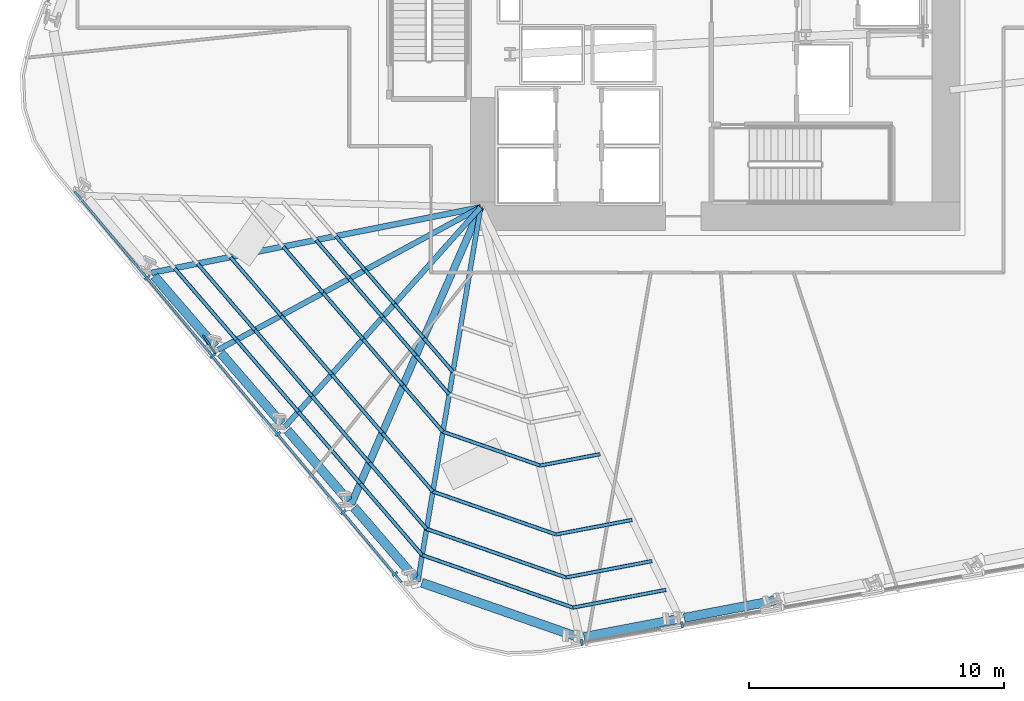
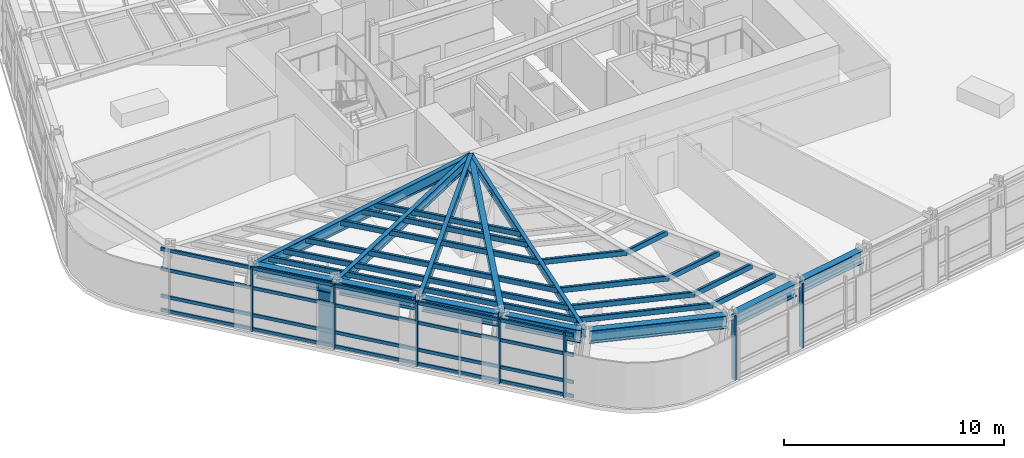
# One storey, part 2 of 16: 44 members, 12 beams, 2 elements without a shape of their own.
"""IFC4 building model written with IfcOpenShell, lengths in metres."""

from ifc_helpers import new_model, si_unit, direction, frame, origin, origin_2d, place, context, subcontext, project, spatial, rectangle, hollow_rectangle, i_section, extrude, material, layer, layer_set, material_profile, profile_set, type_object, element, aggregate, save


model = new_model("IFC4")

# Units and contexts
model_context = context("Model", 3, precision=1e-05, world=origin(), true_north=direction((0.0, 1.0)))
body_context = subcontext(model_context, "Body", "Model", "MODEL_VIEW")
ifc_project = project(units=[si_unit("LENGTHUNIT", "METRE"), si_unit("AREAUNIT", "SQUARE_METRE"), si_unit("VOLUMEUNIT", "CUBIC_METRE"), si_unit("PLANEANGLEUNIT", "RADIAN"), si_unit("MASSUNIT", "GRAM", prefix="KILO")], contexts=[model_context])

# Site, building, storey
site_placement = place(None, origin())
site = spatial("IfcSite", under=ifc_project, at=site_placement, CompositionType="ELEMENT")
building_placement = place(site_placement, origin())
building = spatial("IfcBuilding", under=site, at=building_placement, Name="Valkerne Bourse Tower", CompositionType="ELEMENT")
storey_placement = place(building_placement, frame((0.0, 0.0, 65.800048828125)))
storey = spatial("IfcBuildingStorey", under=building, at=storey_placement, Name="L16", CompositionType="ELEMENT", Elevation=65.800048828125)

# Beams
ifc_material_1 = material(Name="Steel ASTM A992", Category="steel")
ifc_material_profile_1 = material_profile(ifc_material_1, i_section(OverallWidth=0.1904296875, OverallDepth=0.457275390625, WebThickness=0.009033203125, FlangeThickness=0.014404296875, FilletRadius=0.01513671875, at=origin_2d()), Name="W18X50")
ifc_profile_set_1 = profile_set([ifc_material_profile_1], Name="Steel ASTM A992")
beam_type_1 = type_object("IfcBeamType", Name="BM-W18X50", PredefinedType="JOIST", material=ifc_profile_set_1)
beam_1_placement = place(storey_placement, frame((35.135498046875, 3.734619140625, 3.351318359375), z_axis=(0.165732631611, 0.986170722958, 0.0), x_axis=(-0.986170722958, 0.165732631611, 0.0)))
element("IfcBeam", 1, at=beam_1_placement, inside=storey, type_object=beam_type_1, Name="L16 Radial Composite Floor Beam 23", PredefinedType="JOIST", context=body_context, shape_type="SweptSolid", body=[
    extrude(i_section(OverallWidth=0.1904296875, OverallDepth=0.457275390625, WebThickness=0.009033203125, FlangeThickness=0.014404296875, FilletRadius=0.01513671875, at=origin_2d()), origin(), (0.0, 0.0, 1.0), 14.870849609375),
])
ifc_material_profile_2 = material_profile(ifc_material_1, i_section(OverallWidth=0.279296875, OverallDepth=0.46240234375, WebThickness=0.0107421875, FlangeThickness=0.017333984375, FilletRadius=0.017822265625, at=origin_2d()), Name="W18X76")
ifc_profile_set_2 = profile_set([ifc_material_profile_2], Name="Steel ASTM A992")
beam_type_2 = type_object("IfcBeamType", Name="BM-W18X76", PredefinedType="BEAM", material=ifc_profile_set_2)
beam_2_placement = place(storey_placement, frame((32.5244140625, 6.759521484375, 3.3486328125), z_axis=(0.399696022063, 0.916647745836, 0.0), x_axis=(-0.916647745836, 0.399696022063, 0.0)))
element("IfcBeam", 2, at=beam_2_placement, inside=storey, type_object=beam_type_2, Name="L16 Radial Composite Floor Beam 22", PredefinedType="BEAM", context=body_context, shape_type="SweptSolid", body=[
    extrude(i_section(OverallWidth=0.279296875, OverallDepth=0.46240234375, WebThickness=0.0107421875, FlangeThickness=0.017333984375, FilletRadius=0.017822265625, at=origin_2d()), origin(), (0.0, 0.0, 1.0), 12.698974609375),
])
ifc_material_profile_3 = material_profile(ifc_material_1, i_section(OverallWidth=0.209228515625, OverallDepth=0.533447265625, WebThickness=0.01025390625, FlangeThickness=0.015625, FilletRadius=0.017822265625, at=origin_2d()), Name="W21X62")
ifc_profile_set_3 = profile_set([ifc_material_profile_3], Name="Steel ASTM A992")
beam_type_3 = type_object("IfcBeamType", Name="BM-W21X62", PredefinedType="JOIST", material=ifc_profile_set_3)
beam_3_placement = place(storey_placement, frame((29.913330078125, 9.784423828125, 3.313232421875), z_axis=(0.665744699462, 0.746179599787, 0.0), x_axis=(-0.746179599787, 0.665744699462, 0.0)))
element("IfcBeam", 3, at=beam_3_placement, inside=storey, type_object=beam_type_3, Name="L16 Radial Composite Floor Beam 21", PredefinedType="JOIST", context=body_context, shape_type="SweptSolid", body=[
    extrude(i_section(OverallWidth=0.209228515625, OverallDepth=0.533447265625, WebThickness=0.01025390625, FlangeThickness=0.015625, FilletRadius=0.017822265625, at=origin_2d()), origin(), (0.0, 0.0, 1.0), 11.546142578125),
])
ifc_material_profile_4 = material_profile(ifc_material_1, i_section(OverallWidth=0.2138671875, OverallDepth=0.548583984375, WebThickness=0.0146484375, FlangeThickness=0.023681640625, FilletRadius=0.017822265625, at=origin_2d()), Name="W21X93")
ifc_profile_set_4 = profile_set([ifc_material_profile_4], Name="Steel ASTM A992")
beam_type_4 = type_object("IfcBeamType", Name="BM-W21X93", PredefinedType="BEAM", material=ifc_profile_set_4)
beam_4_placement = place(storey_placement, frame((27.30224609375, 12.809326171875, 3.3056640625), z_axis=(0.878842199159, 0.477112553783, 0.0), x_axis=(-0.477112553783, 0.878842199159, 0.0)))
element("IfcBeam", 4, at=beam_4_placement, inside=storey, type_object=beam_type_4, Name="L16 Radial Composite Floor Beam 20", PredefinedType="BEAM", context=body_context, shape_type="SweptSolid", body=[
    extrude(i_section(OverallWidth=0.2138671875, OverallDepth=0.548583984375, WebThickness=0.0146484375, FlangeThickness=0.023681640625, FilletRadius=0.017822265625, at=origin_2d()), origin(), (0.0, 0.0, 1.0), 11.717529296875),
])
ifc_material_profile_5 = material_profile(ifc_material_1, i_section(OverallWidth=0.228271484375, OverallDepth=0.607177734375, WebThickness=0.01123046875, FlangeThickness=0.017333984375, FilletRadius=0.017822265625, at=origin_2d()), Name="W24X76")
ifc_profile_set_5 = profile_set([ifc_material_profile_5], Name="Steel ASTM A992")
beam_type_5 = type_object("IfcBeamType", Name="BM-W24X76", PredefinedType="JOIST", material=ifc_profile_set_5)
beam_5_placement = place(storey_placement, frame((24.691162109375, 15.834228515625, 3.2763671875), z_axis=(0.980815407582, 0.194938801291, 0.0), x_axis=(-0.194938801291, 0.980815407582, 0.0)))
element("IfcBeam", 5, at=beam_5_placement, inside=storey, type_object=beam_type_5, Name="L16 Radial Composite Floor Beam 19", PredefinedType="JOIST", context=body_context, shape_type="SweptSolid", body=[
    extrude(i_section(OverallWidth=0.228271484375, OverallDepth=0.607177734375, WebThickness=0.01123046875, FlangeThickness=0.017333984375, FilletRadius=0.017822265625, at=origin_2d()), origin(), (0.0, 0.0, 1.0), 13.161376953125),
])
ifc_material_profile_6 = material_profile(ifc_material_1, i_section(OverallWidth=0.358154296875, OverallDepth=0.7060546875, WebThickness=0.018310546875, FlangeThickness=0.0302734375, FilletRadius=0.02294921875, at=origin_2d()), Name="W27X178")
ifc_profile_set_6 = profile_set([ifc_material_profile_6], Name="Steel ASTM A992")
beam_type_6 = type_object("IfcBeamType", Name="BM-W27X178", PredefinedType="SPANDREL", material=ifc_profile_set_6)
for number, where, z_axis, x_axis, name in (
    (6, (24.80224609375, 15.70556640625, 3.226806640625), (0.653421647996, -0.756994154489, 0.0), (0.756994154489, 0.653421647996, 0.0), "L16 Hexagonal Spandrel Ring Beam 19"),
    (7, (27.413330078125, 12.6806640625, 3.226806640625), (0.653421647996, -0.756994154489, 0.0), (0.756994154489, 0.653421647996, 0.0), "L16 Hexagonal Spandrel Ring Beam 20"),
):
    element("IfcBeam", number, at=place(storey_placement, frame(where, z_axis=z_axis, x_axis=x_axis)), inside=storey, type_object=beam_type_6, Name=name, PredefinedType="SPANDREL", context=body_context, shape_type="SweptSolid", body=[
        extrude(i_section(OverallWidth=0.358154296875, OverallDepth=0.7060546875, WebThickness=0.018310546875, FlangeThickness=0.0302734375, FilletRadius=0.02294921875, at=origin_2d()), origin(), (0.0, 0.0, 1.0), 3.656005859375),
    ])
for number, where, z_axis, x_axis, name in (
    (8, (30.0244140625, 9.65576171875, 3.226806640625), (0.653383379079, -0.757027185736, 0.0), (0.757027185736, 0.653383379079, 0.0), "L16 Hexagonal Spandrel Ring Beam 21"),
    (9, (32.635498046875, 6.630615234375, 3.226806640625), (0.653454679816, -0.75696564085, 0.0), (0.75696564085, 0.653454679816, 0.0), "L16 Hexagonal Spandrel Ring Beam 22"),
):
    element("IfcBeam", number, at=place(storey_placement, frame(where, z_axis=z_axis, x_axis=x_axis)), inside=storey, type_object=beam_type_6, Name=name, PredefinedType="SPANDREL", context=body_context, shape_type="SweptSolid", body=[
        extrude(i_section(OverallWidth=0.358154296875, OverallDepth=0.7060546875, WebThickness=0.018310546875, FlangeThickness=0.0302734375, FilletRadius=0.02294921875, at=origin_2d()), origin(), (0.0, 0.0, 1.0), 3.65576171875),
    ])
beam_6_placement = place(storey_placement, frame((35.2958984375, 3.6787109375, 3.226806640625), z_axis=(0.944368363629, -0.328889637685, 0.0), x_axis=(0.328889637685, 0.944368363629, 0.0)))
element("IfcBeam", 10, at=beam_6_placement, inside=storey, type_object=beam_type_6, Name="L16 Hexagonal Spandrel Ring Beam 23", PredefinedType="SPANDREL", context=body_context, shape_type="SweptSolid", body=[
    extrude(i_section(OverallWidth=0.358154296875, OverallDepth=0.7060546875, WebThickness=0.018310546875, FlangeThickness=0.0302734375, FilletRadius=0.02294921875, at=origin_2d()), origin(), (0.0, 0.0, 1.0), 6.38916015625),
])
beam_7_placement = place(storey_placement, frame((41.656982421875, 1.553466796875, 3.226806640625), z_axis=(0.982300554461, 0.187311560521, 0.0), x_axis=(-0.187311560521, 0.982300554461, 0.0)))
element("IfcBeam", 11, at=beam_7_placement, inside=storey, type_object=beam_type_6, Name="L16 Hexagonal Spandrel Ring Beam 24", PredefinedType="SPANDREL", context=body_context, shape_type="SweptSolid", body=[
    extrude(i_section(OverallWidth=0.358154296875, OverallDepth=0.7060546875, WebThickness=0.018310546875, FlangeThickness=0.0302734375, FilletRadius=0.02294921875, at=origin_2d()), origin(), (0.0, 0.0, 1.0), 3.656005859375),
])
beam_8_placement = place(storey_placement, frame((45.58251953125, 2.30224609375, 3.226806640625), z_axis=(0.982285920896, 0.187388285678, 0.0), x_axis=(-0.187388285678, 0.982285920896, 0.0)))
element("IfcBeam", 12, at=beam_8_placement, inside=storey, type_object=beam_type_6, Name="L16 Hexagonal Spandrel Ring Beam 25", PredefinedType="SPANDREL", context=body_context, shape_type="SweptSolid", body=[
    extrude(i_section(OverallWidth=0.358154296875, OverallDepth=0.7060546875, WebThickness=0.018310546875, FlangeThickness=0.0302734375, FilletRadius=0.02294921875, at=origin_2d()), origin(), (0.0, 0.0, 1.0), 3.65576171875),
])

# Curtain wall, members
ifc_material_2 = material(Name="Aluminium AA 6063-T6", Category="aluminium")
ifc_layer = layer(ifc_material_2, 0.22509765625)
ifc_layer_set = layer_set([ifc_layer], Name="Aluminium AA 6063-T6")
curtain_wall_type = type_object("IfcCurtainWallType", Name="CW-01", PredefinedType="NOTDEFINED", material=ifc_layer_set)
curtain_wall_1_placement = place(storey_placement, origin())
curtain_wall_1 = element("IfcCurtainWall", 13, at=curtain_wall_1_placement, inside=storey, type_object=curtain_wall_type, Name="L16 Hexagonal Stick Curtain Wall Face 4", PredefinedType="NOTDEFINED")
ifc_material_profile_7 = material_profile(ifc_material_2, rectangle(XDim=0.090087890625, YDim=0.239990234375, at=origin_2d()), Name="CWM-90X240")
ifc_profile_set_7 = profile_set([ifc_material_profile_7], Name="Aluminium AA 6063-T6")
member_type_1 = type_object("IfcMemberType", Name="CW-MUL-240X90", PredefinedType="MULLION", material=ifc_profile_set_7)
member_1_placement = place(storey_placement, frame((24.527099609375, 15.642578125, 0.0), z_axis=(0.0, 0.0, 1.0), x_axis=(0.641443819545, -0.767170011384, 0.0)))
member_1 = element("IfcMember", 14, at=member_1_placement, type_object=member_type_1, Name="CW-L16-F4 Jamb Mullion 01A", PredefinedType="MULLION", context=body_context, shape_type="SweptSolid", body=[
    extrude(rectangle(XDim=0.090087890625, YDim=0.239990234375, at=origin_2d()), origin(), (0.0, 0.0, 1.0), 3.579833984375),
])
member_2_placement = place(storey_placement, frame((27.09033203125, 12.576904296875, 0.0), z_axis=(0.0, 0.0, 1.0), x_axis=(0.641456134466, -0.767159714503, 0.0)))
member_2 = element("IfcMember", 15, at=member_2_placement, type_object=member_type_1, Name="CW-L16-F4 Jamb Mullion 02A", PredefinedType="MULLION", context=body_context, shape_type="SweptSolid", body=[
    extrude(rectangle(XDim=0.090087890625, YDim=0.239990234375, at=origin_2d()), origin(), (0.0, 0.0, 1.0), 3.579833984375),
])
member_3_placement = place(storey_placement, frame((29.653564453125, 9.511474609375, 0.0), z_axis=(0.0, 0.0, 1.0), x_axis=(0.641458547713, -0.767157696674, 0.0)))
member_3 = element("IfcMember", 16, at=member_3_placement, type_object=member_type_1, Name="CW-L16-F4 Jamb Mullion 03A", PredefinedType="MULLION", context=body_context, shape_type="SweptSolid", body=[
    extrude(rectangle(XDim=0.090087890625, YDim=0.239990234375, at=origin_2d()), origin(), (0.0, 0.0, 1.0), 3.579833984375),
])
member_4_placement = place(storey_placement, frame((32.216796875, 6.44580078125, 0.0), z_axis=(0.0, 0.0, 1.0), x_axis=(0.641443819545, -0.767170011384, 0.0)))
member_4 = element("IfcMember", 17, at=member_4_placement, type_object=member_type_1, Name="CW-L16-F4 Jamb Mullion 04A", PredefinedType="MULLION", context=body_context, shape_type="SweptSolid", body=[
    extrude(rectangle(XDim=0.090087890625, YDim=0.239990234375, at=origin_2d()), origin(), (0.0, 0.0, 1.0), 3.579833984375),
])
member_5_placement = place(storey_placement, frame((34.2412109375, 4.024658203125, 0.0), z_axis=(0.0, 0.0, 1.0), x_axis=(0.641443819545, -0.767170011384, 0.0)))
member_5 = element("IfcMember", 18, at=member_5_placement, type_object=member_type_1, Name="CW-L16-F4 Jamb Mullion 04B", PredefinedType="MULLION", context=body_context, shape_type="SweptSolid", body=[
    extrude(rectangle(XDim=0.090087890625, YDim=0.239990234375, at=origin_2d()), origin(), (0.0, 0.0, 1.0), 3.579833984375),
])

curtain_wall_2_placement = place(storey_placement, origin())
curtain_wall_2 = element("IfcCurtainWall", 19, at=curtain_wall_2_placement, inside=storey, type_object=curtain_wall_type, Name="L16 Hexagonal Stick Curtain Wall Face 5", PredefinedType="NOTDEFINED")
member_6_placement = place(storey_placement, frame((41.562744140625, 1.345458984375, 0.0), z_axis=(0.0, 0.0, 1.0), x_axis=(0.985110565094, 0.171922001326, 0.0)))
member_6 = element("IfcMember", 20, at=member_6_placement, type_object=member_type_1, Name="CW-L16-F5 Jamb Mullion 00A", PredefinedType="MULLION", context=body_context, shape_type="SweptSolid", body=[
    extrude(rectangle(XDim=0.090087890625, YDim=0.239990234375, at=origin_2d()), origin(), (0.0, 0.0, 1.0), 3.579833984375),
])
member_7_placement = place(storey_placement, frame((45.499267578125, 2.032470703125, 0.0), z_axis=(0.0, 0.0, 1.0), x_axis=(0.985110565094, 0.171922001326, 0.0)))
member_7 = element("IfcMember", 21, at=member_7_placement, type_object=member_type_1, Name="CW-L16-F5 Jamb Mullion 01A", PredefinedType="MULLION", context=body_context, shape_type="SweptSolid", body=[
    extrude(rectangle(XDim=0.090087890625, YDim=0.239990234375, at=origin_2d()), origin(), (0.0, 0.0, 1.0), 3.579833984375),
])
aggregate(curtain_wall_2, [member_6, member_7])

# Member
ifc_material_profile_8 = material_profile(ifc_material_2, rectangle(XDim=0.090087890625, YDim=0.179931640625, at=origin_2d()), Name="CWT-90X180")
ifc_profile_set_8 = profile_set([ifc_material_profile_8], Name="Aluminium AA 6063-T6")
member_type_2 = type_object("IfcMemberType", Name="CW-TRN-180X90", PredefinedType="USERDEFINED", material=ifc_profile_set_8)
member_8_placement = place(storey_placement, frame((21.678955078125, 19.017578125, 0.119873046875), z_axis=(0.641451529149, -0.767163565188, 0.0), x_axis=(0.767163565188, 0.641451529149, 0.0)))
member_8 = element("IfcMember", 22, at=member_8_placement, type_object=member_type_2, Name="CW-L16-F4 Continuous Face Transom 1", ObjectType="TRANSOM", PredefinedType="USERDEFINED", context=body_context, shape_type="SweptSolid", body=[
    extrude(rectangle(XDim=0.090087890625, YDim=0.179931640625, at=origin_2d()), origin(), (0.0, 0.0, 1.0), 19.97998046875),
])

member_9_placement = place(storey_placement, frame((21.678955078125, 19.017578125, 0.89990234375), z_axis=(0.641451529149, -0.767163565188, 0.0), x_axis=(0.767163565188, 0.641451529149, 0.0)))
member_9 = element("IfcMember", 23, at=member_9_placement, type_object=member_type_2, Name="CW-L16-F4 Continuous Face Transom 2", ObjectType="TRANSOM", PredefinedType="USERDEFINED", context=body_context, shape_type="SweptSolid", body=[
    extrude(rectangle(XDim=0.090087890625, YDim=0.179931640625, at=origin_2d()), origin(), (0.0, 0.0, 1.0), 19.97998046875),
])

member_10_placement = place(storey_placement, frame((21.678955078125, 19.017578125, 2.39990234375), z_axis=(0.641451529149, -0.767163565188, 0.0), x_axis=(0.767163565188, 0.641451529149, 0.0)))
member_10 = element("IfcMember", 24, at=member_10_placement, type_object=member_type_2, Name="CW-L16-F4 Continuous Face Transom 3", ObjectType="TRANSOM", PredefinedType="USERDEFINED", context=body_context, shape_type="SweptSolid", body=[
    extrude(rectangle(XDim=0.090087890625, YDim=0.179931640625, at=origin_2d()), origin(), (0.0, 0.0, 1.0), 19.97998046875),
])

member_11_placement = place(storey_placement, frame((21.678955078125, 19.017578125, 3.5), z_axis=(0.641451529149, -0.767163565188, 0.0), x_axis=(0.767163565188, 0.641451529149, 0.0)))
member_11 = element("IfcMember", 25, at=member_11_placement, type_object=member_type_2, Name="CW-L16-F4 Continuous Face Transom 4", ObjectType="TRANSOM", PredefinedType="USERDEFINED", context=body_context, shape_type="SweptSolid", body=[
    extrude(rectangle(XDim=0.090087890625, YDim=0.179931640625, at=origin_2d()), origin(), (0.0, 0.0, 1.0), 19.97998046875),
])

aggregate(curtain_wall_1, [member_8, member_9, member_10, member_11, member_1, member_2, member_3, member_4, member_5])

# Members
ifc_material_3 = material(Name="Bronze Anodised Aluminium AA 6063-T6", Category="aluminium")
ifc_material_profile_9 = material_profile(ifc_material_3, rectangle(XDim=0.070068359375, YDim=0.89990234375, at=origin_2d()), Name="FIN-70X900")
ifc_profile_set_9 = profile_set([ifc_material_profile_9], Name="Bronze Anodised Aluminium AA 6063-T6")
member_type_3 = type_object("IfcMemberType", Name="FIN-SOLAR-900", PredefinedType="USERDEFINED", material=ifc_profile_set_9)
member_12_placement = place(storey_placement, frame((26.958984375, 13.0146484375, 0.00390625), z_axis=(0.0, 0.0, 1.0), x_axis=(-0.831552567859, -0.555446061186, 0.0)))
element("IfcMember", 26, at=member_12_placement, inside=storey, type_object=member_type_3, Name="L16 Bronze Anodised Solar Fin F4-02", ObjectType="SOLAR_FIN", PredefinedType="USERDEFINED", context=body_context, shape_type="SweptSolid", body=[
    extrude(rectangle(XDim=0.070068359375, YDim=0.89990234375, at=origin_2d()), origin(), (0.0, 0.0, 1.0), 3.572021484375),
])
ifc_material_4 = material(Name="Steel ASTM A500 Grade C", Category="steel")
ifc_material_profile_10 = material_profile(ifc_material_4, hollow_rectangle(XDim=0.14990234375, YDim=0.300048828125, WallThickness=0.012451171875, OuterFilletRadius=0.02490234375, at=origin_2d()), Name="HSS300X150X12.5")
ifc_profile_set_10 = profile_set([ifc_material_profile_10], Name="Steel ASTM A500 Grade C")
member_type_4 = type_object("IfcMemberType", Name="MBR-HSS300X150X12.5", PredefinedType="PURLIN", material=ifc_profile_set_10)
member_13_placement = place(storey_placement, frame((31.920166015625, 17.27099609375, 3.419921875), z_axis=(0.653486092171, -0.756938522827, 0.0), x_axis=(0.756938522827, 0.653486092171, 0.0)))
element("IfcMember", 27, at=member_13_placement, inside=storey, type_object=member_type_4, Name="L16 Secondary Composite Floor Purlin K-19", PredefinedType="PURLIN", context=body_context, shape_type="SweptSolid", body=[
    extrude(hollow_rectangle(XDim=0.14990234375, YDim=0.300048828125, WallThickness=0.012451171875, OuterFilletRadius=0.02490234375, at=origin_2d()), origin(), (0.0, 0.0, 1.0), 1.758056640625),
])
member_14_placement = place(storey_placement, frame((33.069091796875, 15.940185546875, 3.419921875), z_axis=(0.653417408619, -0.75699781381, 0.0), x_axis=(0.75699781381, 0.653417408619, 0.0)))
element("IfcMember", 28, at=member_14_placement, inside=storey, type_object=member_type_4, Name="L16 Secondary Composite Floor Purlin K-20", PredefinedType="PURLIN", context=body_context, shape_type="SweptSolid", body=[
    extrude(hollow_rectangle(XDim=0.14990234375, YDim=0.300048828125, WallThickness=0.012451171875, OuterFilletRadius=0.02490234375, at=origin_2d()), origin(), (0.0, 0.0, 1.0), 1.75830078125),
])
for number, where, z_axis, x_axis, name in (
    (29, (34.218017578125, 14.609130859375, 3.419921875), (0.653337831698, -0.757066494882, 0.0), (0.757066494882, 0.653337831698, 0.0), "L16 Secondary Composite Floor Purlin K-21"),
    (30, (35.36669921875, 13.278076171875, 3.419921875), (0.653486092171, -0.756938522827, 0.0), (0.756938522827, 0.653486092171, 0.0), "L16 Secondary Composite Floor Purlin K-22"),
):
    element("IfcMember", number, at=place(storey_placement, frame(where, z_axis=z_axis, x_axis=x_axis)), inside=storey, type_object=member_type_4, Name=name, PredefinedType="PURLIN", context=body_context, shape_type="SweptSolid", body=[
        extrude(hollow_rectangle(XDim=0.14990234375, YDim=0.300048828125, WallThickness=0.012451171875, OuterFilletRadius=0.02490234375, at=origin_2d()), origin(), (0.0, 0.0, 1.0), 1.758056640625),
    ])
member_15_placement = place(storey_placement, frame((31.1455078125, 17.1171875, 3.419921875), z_axis=(0.653403539443, -0.757009785038, 0.0), x_axis=(0.757009785038, 0.653403539443, 0.0)))
element("IfcMember", 31, at=member_15_placement, inside=storey, type_object=member_type_4, Name="L16 Secondary Composite Floor Purlin M-19", PredefinedType="PURLIN", context=body_context, shape_type="SweptSolid", body=[
    extrude(hollow_rectangle(XDim=0.14990234375, YDim=0.300048828125, WallThickness=0.012451171875, OuterFilletRadius=0.02490234375, at=origin_2d()), origin(), (0.0, 0.0, 1.0), 1.998291015625),
])
member_16_placement = place(storey_placement, frame((32.451171875, 15.6044921875, 3.419921875), z_axis=(0.653454401813, -0.756965880836, 0.0), x_axis=(0.756965880836, 0.653454401813, 0.0)))
element("IfcMember", 32, at=member_16_placement, inside=storey, type_object=member_type_4, Name="L16 Secondary Composite Floor Purlin M-20", PredefinedType="PURLIN", context=body_context, shape_type="SweptSolid", body=[
    extrude(hollow_rectangle(XDim=0.14990234375, YDim=0.300048828125, WallThickness=0.012451171875, OuterFilletRadius=0.02490234375, at=origin_2d()), origin(), (0.0, 0.0, 1.0), 1.997802734375),
])
member_17_placement = place(storey_placement, frame((33.756591796875, 14.09228515625, 3.419921875), z_axis=(0.653403539443, -0.757009785038, 0.0), x_axis=(0.757009785038, 0.653403539443, 0.0)))
element("IfcMember", 33, at=member_17_placement, inside=storey, type_object=member_type_4, Name="L16 Secondary Composite Floor Purlin M-21", PredefinedType="PURLIN", context=body_context, shape_type="SweptSolid", body=[
    extrude(hollow_rectangle(XDim=0.14990234375, YDim=0.300048828125, WallThickness=0.012451171875, OuterFilletRadius=0.02490234375, at=origin_2d()), origin(), (0.0, 0.0, 1.0), 1.998291015625),
])
member_18_placement = place(storey_placement, frame((35.062255859375, 12.57958984375, 3.419921875), z_axis=(0.653393955268, -0.757018057393, 0.0), x_axis=(0.757018057393, 0.653393955268, 0.0)))
element("IfcMember", 34, at=member_18_placement, inside=storey, type_object=member_type_4, Name="L16 Secondary Composite Floor Purlin M-22", PredefinedType="PURLIN", context=body_context, shape_type="SweptSolid", body=[
    extrude(hollow_rectangle(XDim=0.14990234375, YDim=0.300048828125, WallThickness=0.012451171875, OuterFilletRadius=0.02490234375, at=origin_2d()), origin(), (0.0, 0.0, 1.0), 1.997802734375),
])
for number, where, z_axis, x_axis, name in (
    (35, (27.789306640625, 16.4501953125, 3.419921875), (0.653395896171, -0.757016382166, 0.0), (0.757016382166, 0.653395896171, 0.0), "L16 Secondary Composite Floor Purlin O-19"),
    (36, (29.773681640625, 14.151123046875, 3.419921875), (0.653395896171, -0.757016382166, 0.0), (0.757016382166, 0.653395896171, 0.0), "L16 Secondary Composite Floor Purlin O-20"),
    (37, (31.758056640625, 11.85205078125, 3.419921875), (0.653395896171, -0.757016382166, 0.0), (0.757016382166, 0.653395896171, 0.0), "L16 Secondary Composite Floor Purlin O-21"),
):
    element("IfcMember", number, at=place(storey_placement, frame(where, z_axis=z_axis, x_axis=x_axis)), inside=storey, type_object=member_type_4, Name=name, PredefinedType="PURLIN", context=body_context, shape_type="SweptSolid", body=[
        extrude(hollow_rectangle(XDim=0.14990234375, YDim=0.300048828125, WallThickness=0.012451171875, OuterFilletRadius=0.02490234375, at=origin_2d()), origin(), (0.0, 0.0, 1.0), 3.037109375),
    ])
member_19_placement = place(storey_placement, frame((33.742431640625, 9.552978515625, 3.419921875), z_axis=(0.653435660254, -0.756982059172, 0.0), x_axis=(0.756982059172, 0.653435660254, 0.0)))
element("IfcMember", 38, at=member_19_placement, inside=storey, type_object=member_type_4, Name="L16 Secondary Composite Floor Purlin O-22", PredefinedType="PURLIN", context=body_context, shape_type="SweptSolid", body=[
    extrude(hollow_rectangle(XDim=0.14990234375, YDim=0.300048828125, WallThickness=0.012451171875, OuterFilletRadius=0.02490234375, at=origin_2d()), origin(), (0.0, 0.0, 1.0), 3.036865234375),
])
member_20_placement = place(storey_placement, frame((35.726806640625, 7.254150390625, 3.419921875), z_axis=(0.944373719946, -0.328874257239, 0.0), x_axis=(0.328874257239, 0.944373719946, 0.0)))
element("IfcMember", 39, at=member_20_placement, inside=storey, type_object=member_type_4, Name="L16 Secondary Composite Floor Purlin O-23", PredefinedType="PURLIN", context=body_context, shape_type="SweptSolid", body=[
    extrude(hollow_rectangle(XDim=0.14990234375, YDim=0.300048828125, WallThickness=0.012451171875, OuterFilletRadius=0.02490234375, at=origin_2d()), origin(), (0.0, 0.0, 1.0), 5.114013671875),
])
member_21_placement = place(storey_placement, frame((40.556396484375, 5.572265625, 3.419921875), z_axis=(0.982288577442, 0.187374359576, 0.0), x_axis=(-0.187374359576, 0.982288577442, 0.0)))
element("IfcMember", 40, at=member_21_placement, inside=storey, type_object=member_type_4, Name="L16 Secondary Composite Floor Purlin O-24", PredefinedType="PURLIN", context=body_context, shape_type="SweptSolid", body=[
    extrude(hollow_rectangle(XDim=0.14990234375, YDim=0.300048828125, WallThickness=0.012451171875, OuterFilletRadius=0.02490234375, at=origin_2d()), origin(), (0.0, 0.0, 1.0), 3.037109375),
])
for number, where, z_axis, x_axis, name in (
    (41, (29.854736328125, 16.860595703125, 3.419921875), (0.653428967629, -0.756987836272, 0.0), (0.756987836272, 0.653428967629, 0.0), "L16 Secondary Composite Floor Purlin Z-19"),
    (42, (31.42138671875, 15.045654296875, 3.419921875), (0.653428967629, -0.756987836272, 0.0), (0.756987836272, 0.653428967629, 0.0), "L16 Secondary Composite Floor Purlin Z-20"),
    (43, (32.988037109375, 13.230712890625, 3.419921875), (0.65337860219, -0.7570313086, 0.0), (0.7570313086, 0.65337860219, 0.0), "L16 Secondary Composite Floor Purlin Z-21"),
):
    element("IfcMember", number, at=place(storey_placement, frame(where, z_axis=z_axis, x_axis=x_axis)), inside=storey, type_object=member_type_4, Name=name, PredefinedType="PURLIN", context=body_context, shape_type="SweptSolid", body=[
        extrude(hollow_rectangle(XDim=0.14990234375, YDim=0.300048828125, WallThickness=0.012451171875, OuterFilletRadius=0.02490234375, at=origin_2d()), origin(), (0.0, 0.0, 1.0), 2.397705078125),
    ])
member_22_placement = place(storey_placement, frame((34.5546875, 11.41552734375, 3.419921875), z_axis=(0.653370611364, -0.757038205249, 0.0), x_axis=(0.757038205249, 0.653370611364, 0.0)))
element("IfcMember", 44, at=member_22_placement, inside=storey, type_object=member_type_4, Name="L16 Secondary Composite Floor Purlin Z-22", PredefinedType="PURLIN", context=body_context, shape_type="SweptSolid", body=[
    extrude(hollow_rectangle(XDim=0.14990234375, YDim=0.300048828125, WallThickness=0.012451171875, OuterFilletRadius=0.02490234375, at=origin_2d()), origin(), (0.0, 0.0, 1.0), 2.3974609375),
])
member_23_placement = place(storey_placement, frame((36.12109375, 9.6005859375, 3.419921875), z_axis=(0.944390698899, -0.328825497542, 0.0), x_axis=(0.328825497542, 0.944390698899, 0.0)))
element("IfcMember", 45, at=member_23_placement, inside=storey, type_object=member_type_4, Name="L16 Secondary Composite Floor Purlin Z-23", PredefinedType="PURLIN", context=body_context, shape_type="SweptSolid", body=[
    extrude(hollow_rectangle(XDim=0.14990234375, YDim=0.300048828125, WallThickness=0.012451171875, OuterFilletRadius=0.02490234375, at=origin_2d()), origin(), (0.0, 0.0, 1.0), 4.03759765625),
])
member_24_placement = place(storey_placement, frame((39.93408203125, 8.27294921875, 3.419921875), z_axis=(0.982292192074, 0.18735540929, 0.0), x_axis=(-0.18735540929, 0.982292192074, 0.0)))
element("IfcMember", 46, at=member_24_placement, inside=storey, type_object=member_type_4, Name="L16 Secondary Composite Floor Purlin Z-24", PredefinedType="PURLIN", context=body_context, shape_type="SweptSolid", body=[
    extrude(hollow_rectangle(XDim=0.14990234375, YDim=0.300048828125, WallThickness=0.012451171875, OuterFilletRadius=0.02490234375, at=origin_2d()), origin(), (0.0, 0.0, 1.0), 2.397705078125),
])
for number, where, z_axis, x_axis, name in (
    (47, (26.498291015625, 16.193603515625, 3.419921875), (0.65342009665, -0.756995493575, 0.0), (0.756995493575, 0.65342009665, 0.0), "L16 Secondary Composite Floor Purlin T-19"),
    (48, (28.743896484375, 13.592041015625, 3.419921875), (0.65342009665, -0.756995493575, 0.0), (0.756995493575, 0.65342009665, 0.0), "L16 Secondary Composite Floor Purlin T-20"),
):
    element("IfcMember", number, at=place(storey_placement, frame(where, z_axis=z_axis, x_axis=x_axis)), inside=storey, type_object=member_type_4, Name=name, PredefinedType="PURLIN", context=body_context, shape_type="SweptSolid", body=[
        extrude(hollow_rectangle(XDim=0.14990234375, YDim=0.300048828125, WallThickness=0.012451171875, OuterFilletRadius=0.02490234375, at=origin_2d()), origin(), (0.0, 0.0, 1.0), 3.436767578125),
    ])
member_25_placement = place(storey_placement, frame((30.989501953125, 10.990478515625, 3.419921875), z_axis=(0.653414526154, -0.757000301856, 0.0), x_axis=(0.757000301856, 0.653414526154, 0.0)))
element("IfcMember", 49, at=member_25_placement, inside=storey, type_object=member_type_4, Name="L16 Secondary Composite Floor Purlin T-21", PredefinedType="PURLIN", context=body_context, shape_type="SweptSolid", body=[
    extrude(hollow_rectangle(XDim=0.14990234375, YDim=0.300048828125, WallThickness=0.012451171875, OuterFilletRadius=0.02490234375, at=origin_2d()), origin(), (0.0, 0.0, 1.0), 3.436279296875),
])
member_26_placement = place(storey_placement, frame((33.23486328125, 8.38916015625, 3.419921875), z_axis=(0.65342009665, -0.756995493575, 0.0), x_axis=(0.756995493575, 0.65342009665, 0.0)))
element("IfcMember", 50, at=member_26_placement, inside=storey, type_object=member_type_4, Name="L16 Secondary Composite Floor Purlin T-22", PredefinedType="PURLIN", context=body_context, shape_type="SweptSolid", body=[
    extrude(hollow_rectangle(XDim=0.14990234375, YDim=0.300048828125, WallThickness=0.012451171875, OuterFilletRadius=0.02490234375, at=origin_2d()), origin(), (0.0, 0.0, 1.0), 3.436767578125),
])
member_27_placement = place(storey_placement, frame((35.48046875, 5.78759765625, 3.419921875), z_axis=(0.944380061856, -0.328856045663, 0.0), x_axis=(0.328856045663, 0.944380061856, 0.0)))
element("IfcMember", 51, at=member_27_placement, inside=storey, type_object=member_type_4, Name="L16 Secondary Composite Floor Purlin T-23", PredefinedType="PURLIN", context=body_context, shape_type="SweptSolid", body=[
    extrude(hollow_rectangle(XDim=0.14990234375, YDim=0.300048828125, WallThickness=0.012451171875, OuterFilletRadius=0.02490234375, at=origin_2d()), origin(), (0.0, 0.0, 1.0), 5.786865234375),
])
member_28_placement = place(storey_placement, frame((40.945556640625, 3.884521484375, 3.419921875), z_axis=(0.982282560288, 0.187405901066, 0.0), x_axis=(-0.187405901066, 0.982282560288, 0.0)))
element("IfcMember", 52, at=member_28_placement, inside=storey, type_object=member_type_4, Name="L16 Secondary Composite Floor Purlin T-24", PredefinedType="PURLIN", context=body_context, shape_type="SweptSolid", body=[
    extrude(hollow_rectangle(XDim=0.14990234375, YDim=0.300048828125, WallThickness=0.012451171875, OuterFilletRadius=0.02490234375, at=origin_2d()), origin(), (0.0, 0.0, 1.0), 3.4365234375),
])
for number, where, z_axis, x_axis, name in (
    (53, (25.5947265625, 16.013916015625, 3.419921875), (0.6534060428, -0.75700762429, 0.0), (0.75700762429, 0.6534060428, 0.0), "L16 Secondary Composite Floor Purlin U-19"),
    (54, (28.02294921875, 13.20068359375, 3.419921875), (0.653443687794, -0.756975129632, 0.0), (0.756975129632, 0.653443687794, 0.0), "L16 Secondary Composite Floor Purlin U-20"),
    (55, (30.451416015625, 10.387451171875, 3.419921875), (0.6534060428, -0.75700762429, 0.0), (0.75700762429, 0.6534060428, 0.0), "L16 Secondary Composite Floor Purlin U-21"),
    (56, (32.879638671875, 7.57421875, 3.419921875), (0.6534060428, -0.75700762429, 0.0), (0.75700762429, 0.6534060428, 0.0), "L16 Secondary Composite Floor Purlin U-22"),
):
    element("IfcMember", number, at=place(storey_placement, frame(where, z_axis=z_axis, x_axis=x_axis)), inside=storey, type_object=member_type_4, Name=name, PredefinedType="PURLIN", context=body_context, shape_type="SweptSolid", body=[
        extrude(hollow_rectangle(XDim=0.14990234375, YDim=0.300048828125, WallThickness=0.012451171875, OuterFilletRadius=0.02490234375, at=origin_2d()), origin(), (0.0, 0.0, 1.0), 3.71630859375),
    ])
member_29_placement = place(storey_placement, frame((35.307861328125, 4.760986328125, 3.419921875), z_axis=(0.944373574784, -0.328874674079, 0.0), x_axis=(0.328874674079, 0.944373574784, 0.0)))
element("IfcMember", 57, at=member_29_placement, inside=storey, type_object=member_type_4, Name="L16 Secondary Composite Floor Purlin U-23", PredefinedType="PURLIN", context=body_context, shape_type="SweptSolid", body=[
    extrude(hollow_rectangle(XDim=0.14990234375, YDim=0.300048828125, WallThickness=0.012451171875, OuterFilletRadius=0.02490234375, at=origin_2d()), origin(), (0.0, 0.0, 1.0), 6.258056640625),
])
member_30_placement = place(storey_placement, frame((41.2177734375, 2.702880859375, 3.419921875), z_axis=(0.982280446369, 0.187416980772, 0.0), x_axis=(-0.187416980772, 0.982280446369, 0.0)))
element("IfcMember", 58, at=member_30_placement, inside=storey, type_object=member_type_4, Name="L16 Secondary Composite Floor Purlin U-24", PredefinedType="PURLIN", context=body_context, shape_type="SweptSolid", body=[
    extrude(hollow_rectangle(XDim=0.14990234375, YDim=0.300048828125, WallThickness=0.012451171875, OuterFilletRadius=0.02490234375, at=origin_2d()), origin(), (0.0, 0.0, 1.0), 3.716552734375),
])

save(model, "model.ifc")
